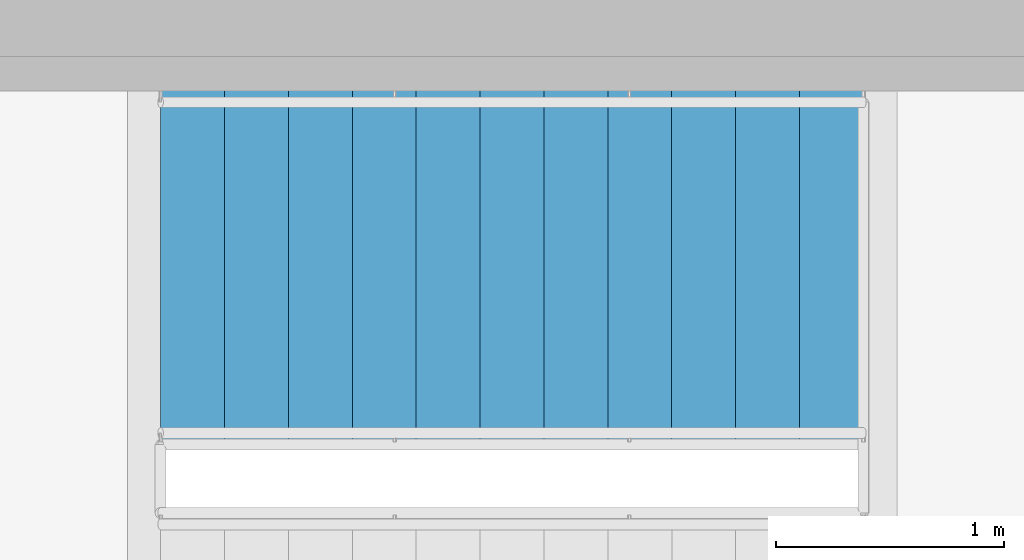
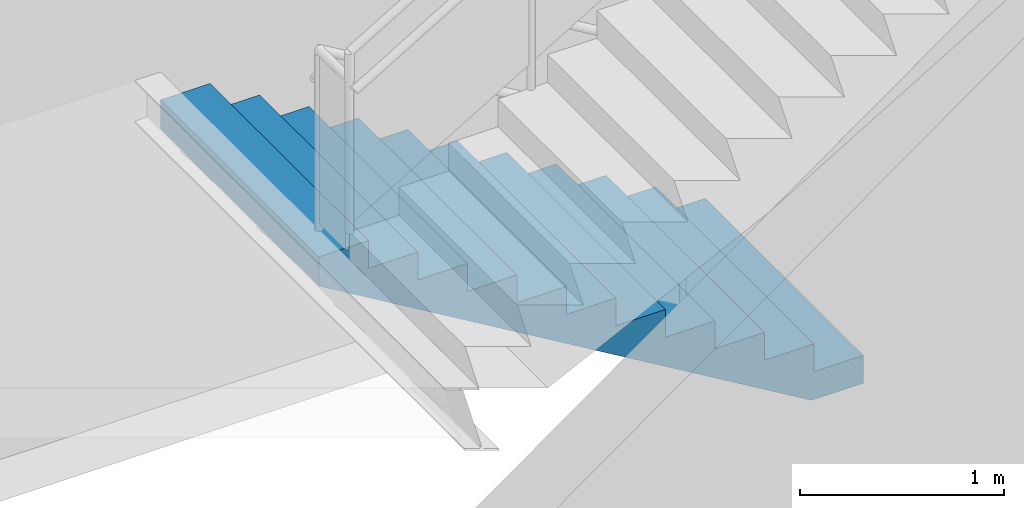
# One storey, part 13 of 16: 1 stair flight, 1 element without a shape of its own.
"""IFC4 building model written with IfcOpenShell, lengths in metres."""

from ifc_helpers import new_model, si_unit, direction, frame, origin, place, context, subcontext, project, spatial, polyline, outline, extrude, material, type_object, element, aggregate, save


model = new_model("IFC4")

# Units and contexts
model_context = context("Model", 3, precision=1e-05, world=origin(), true_north=direction((0.0, 1.0)))
body_context = subcontext(model_context, "Body", "Model", "MODEL_VIEW")
ifc_project = project(units=[si_unit("LENGTHUNIT", "METRE"), si_unit("AREAUNIT", "SQUARE_METRE"), si_unit("VOLUMEUNIT", "CUBIC_METRE"), si_unit("PLANEANGLEUNIT", "RADIAN"), si_unit("MASSUNIT", "GRAM", prefix="KILO")], contexts=[model_context])

# Site, building, storey
site_placement = place(None, origin())
site = spatial("IfcSite", under=ifc_project, at=site_placement, CompositionType="ELEMENT")
building_placement = place(site_placement, origin())
building = spatial("IfcBuilding", under=site, at=building_placement, Name="Namib Vertical Campus", CompositionType="ELEMENT")
storey_placement = place(building_placement, frame((0.0, 0.0, 129.0)))
storey = spatial("IfcBuildingStorey", under=building, at=storey_placement, Name="L30", CompositionType="ELEMENT", Elevation=129.0)

# Stair, stair flight
ifc_material_1 = material(Name="Concrete C40/50 precast", Category="concrete")
stair_type = type_object("IfcStairType", Name="Exit stair 4000 rise 24 risers 3400 wide", PredefinedType="HALF_TURN_STAIR", material=ifc_material_1)
stair_placement = place(storey_placement, origin())
stair = element("IfcStair", 1, at=stair_placement, inside=storey, type_object=stair_type, Name="Exit stair B-S3 L30", PredefinedType="HALF_TURN_STAIR")
ifc_material_2 = material(Name="Concrete C40/50 precast", Category="concrete")
stair_flight_type = type_object("IfcStairFlightType", Name="Stair flight 12 risers 167 1550 wide", PredefinedType="STRAIGHT", material=ifc_material_2)
stair_flight_placement = place(storey_placement, frame((82.949951171875, 39.22509765625, 0.0), z_axis=(0.0, 0.0, 1.0), x_axis=(-1.0, 0.0, 0.0)))
stair_flight = element("IfcStairFlight", 2, at=stair_flight_placement, type_object=stair_flight_type, Name="B-S3 flight 1", NumberOfRisers=12, NumberOfTreads=11, PredefinedType="STRAIGHT", RiserHeight=0.166666667, TreadLength=0.28, context=body_context, shape_type="SweptSolid", body=[
    extrude(outline(polyline([(0.0, 0.0), (0.0, 0.166748046875), (0.280029296875, 0.166748046875), (0.280029296875, 0.333251953125), (0.56005859375, 0.333251953125), (0.56005859375, 0.5), (0.840087890625, 0.5), (0.840087890625, 0.666748046875), (1.1201171875, 0.666748046875), (1.1201171875, 0.833251953125), (1.39990234375, 0.833251953125), (1.39990234375, 1.0), (1.679931640625, 1.0), (1.679931640625, 1.166748046875), (1.9599609375, 1.166748046875), (1.9599609375, 1.333251953125), (2.239990234375, 1.333251953125), (2.239990234375, 1.5), (2.52001953125, 1.5), (2.52001953125, 1.666748046875), (2.800048828125, 1.666748046875), (2.800048828125, 1.833251953125), (3.080078125, 1.833251953125), (3.080078125, 2.0), (3.080078125, 1.658935546875), (0.29296875, 0.0), (0.0, 0.0)])), frame((0.0, 0.77490234375, 0.0), z_axis=(0.0, -1.0, 0.0), x_axis=(1.0, 0.0, 0.0)), (0.0, 0.0, 1.0), 1.550048828125),
])
aggregate(stair, [stair_flight])

save(model, "model.ifc")
